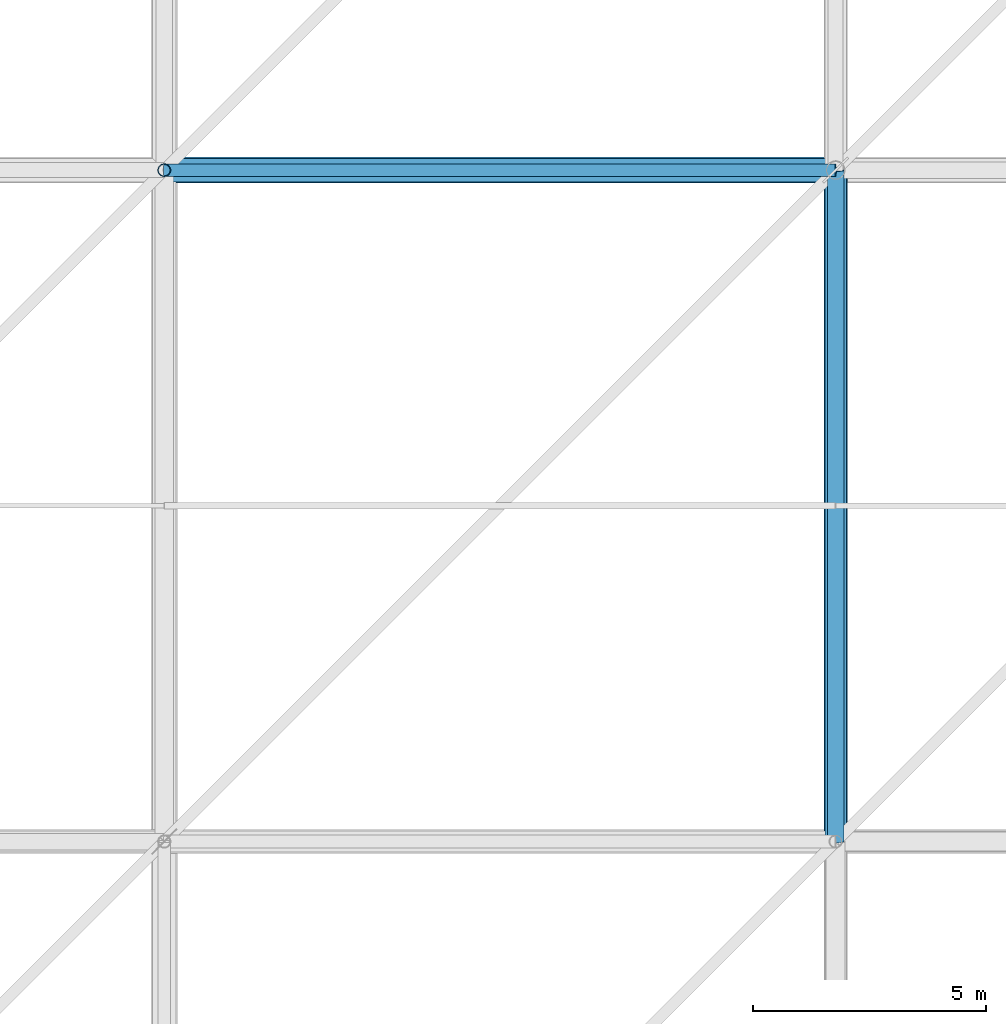
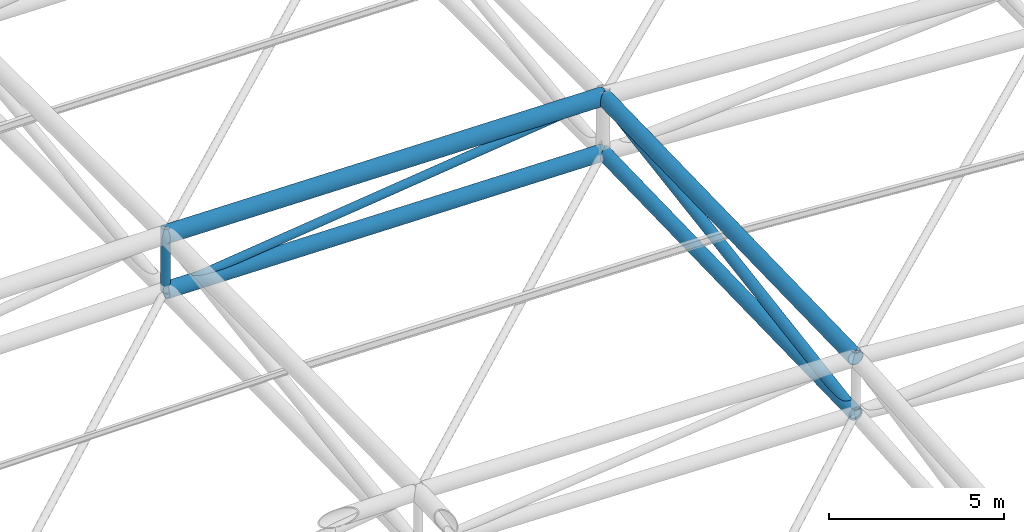
# One storey, part 135 of 397: 4 beams, 3 members.
"""IFC4 building model written with IfcOpenShell, lengths in metres."""

from ifc_helpers import new_model, si_unit, direction, frame, origin, origin_2d, place, context, subcontext, project, spatial, hollow_circle, extrude, material, material_profile, profile_set, type_object, element, save


model = new_model("IFC4")

# Units and contexts
model_context = context("Model", 3, precision=1e-05, world=origin(), true_north=direction((0.0, 1.0)))
body_context = subcontext(model_context, "Body", "Model", "MODEL_VIEW")
ifc_project = project(units=[si_unit("LENGTHUNIT", "METRE"), si_unit("AREAUNIT", "SQUARE_METRE"), si_unit("VOLUMEUNIT", "CUBIC_METRE"), si_unit("PLANEANGLEUNIT", "RADIAN"), si_unit("MASSUNIT", "GRAM", prefix="KILO")], contexts=[model_context])

# Site, building, storey
site_placement = place(None, origin())
site = spatial("IfcSite", under=ifc_project, at=site_placement, CompositionType="ELEMENT")
building_placement = place(site_placement, origin())
building = spatial("IfcBuilding", under=site, at=building_placement, Name="Qandorah Velis Arena", CompositionType="ELEMENT")
storey_placement = place(building_placement, frame((0.0, 0.0, 27.5)))
storey = spatial("IfcBuildingStorey", under=building, at=storey_placement, Name="RF", CompositionType="ELEMENT", Elevation=27.5)

# Beams
ifc_material = material(Name="Steel S355", Category="steel")
ifc_material_profile_1 = material_profile(ifc_material, hollow_circle(Radius=0.228515625, WallThickness=0.01611328125, at=origin_2d()), Name="CHS 457x16")
ifc_profile_set_1 = profile_set([ifc_material_profile_1], Name="Steel S355")
beam_type_1 = type_object("IfcBeamType", Name="STR-SFC-CHS457X16", PredefinedType="USERDEFINED", material=ifc_profile_set_1)
beam_1_placement = place(storey_placement, frame((86.39990234375, 43.199951171875, 8.038818359375), z_axis=(0.0, 0.999687466414, 0.024999389874), x_axis=(-1.0, 0.0, 0.0)))
element("IfcBeam", 1, at=beam_1_placement, inside=storey, type_object=beam_type_1, Name="Space frame roof truss bottom chord Y 5.2", ObjectType="ROOF TRUSS", PredefinedType="USERDEFINED", context=body_context, shape_type="SweptSolid", body=[
    extrude(hollow_circle(Radius=0.228515625, WallThickness=0.01611328125, at=origin_2d()), origin(), (0.0, 0.0, 1.0), 14.404541015625),
])
ifc_material_profile_2 = material_profile(ifc_material, hollow_circle(Radius=0.25390625, WallThickness=0.02001953125, at=origin_2d()), Name="CHS 508x20")
ifc_profile_set_2 = profile_set([ifc_material_profile_2], Name="Steel S355")
beam_type_2 = type_object("IfcBeamType", Name="STR-SFC-CHS508X20", PredefinedType="USERDEFINED", material=ifc_profile_set_2)
beam_2_placement = place(storey_placement, frame((86.39990234375, 43.199951171875, 9.98876953125), z_axis=(0.0, 0.999687042695, 0.02501632801), x_axis=(-1.0, 0.0, 0.0)))
element("IfcBeam", 2, at=beam_2_placement, inside=storey, type_object=beam_type_2, Name="Space frame roof truss top chord Y 5.2", ObjectType="ROOF TRUSS", PredefinedType="USERDEFINED", context=body_context, shape_type="SweptSolid", body=[
    extrude(hollow_circle(Radius=0.25390625, WallThickness=0.02001953125, at=origin_2d()), origin(), (0.0, 0.0, 1.0), 14.404541015625),
])
ifc_material_profile_3 = material_profile(ifc_material, hollow_circle(Radius=0.25390625, WallThickness=0.02490234375, at=origin_2d()), Name="CHS 508x25")
ifc_profile_set_3 = profile_set([ifc_material_profile_3], Name="Steel S355")
beam_type_3 = type_object("IfcBeamType", Name="STR-SFC-CHS508X25", PredefinedType="USERDEFINED", material=ifc_profile_set_3)
beam_3_placement = place(storey_placement, frame((72.0, 57.60009765625, 8.6318359375), z_axis=(0.99986921963, 0.0, -0.016172310799), x_axis=(0.0, 1.0, 0.0)))
element("IfcBeam", 3, at=beam_3_placement, inside=storey, type_object=beam_type_3, Name="Space frame roof truss bottom chord X 4.3", ObjectType="ROOF TRUSS", PredefinedType="USERDEFINED", context=body_context, shape_type="SweptSolid", body=[
    extrude(hollow_circle(Radius=0.25390625, WallThickness=0.02490234375, at=origin_2d()), origin(), (0.0, 0.0, 1.0), 14.40185546875),
])
ifc_material_profile_4 = material_profile(ifc_material, hollow_circle(Radius=0.279541015625, WallThickness=0.02490234375, at=origin_2d()), Name="CHS 559x25")
ifc_profile_set_4 = profile_set([ifc_material_profile_4], Name="Steel S355")
beam_type_4 = type_object("IfcBeamType", Name="STR-SFC-CHS559X25", PredefinedType="USERDEFINED", material=ifc_profile_set_4)
beam_4_placement = place(storey_placement, frame((72.0, 57.60009765625, 10.581787109375), z_axis=(0.999869493605, 0.0, -0.016155363118), x_axis=(0.0, 1.0, 0.0)))
element("IfcBeam", 4, at=beam_4_placement, inside=storey, type_object=beam_type_4, Name="Space frame roof truss top chord X 4.3", ObjectType="ROOF TRUSS", PredefinedType="USERDEFINED", context=body_context, shape_type="SweptSolid", body=[
    extrude(hollow_circle(Radius=0.279541015625, WallThickness=0.02490234375, at=origin_2d()), origin(), (0.0, 0.0, 1.0), 14.40185546875),
])

# Members
ifc_material_profile_5 = material_profile(ifc_material, hollow_circle(Radius=0.136474609375, WallThickness=0.010009765625, at=origin_2d()), Name="CHS 273x10")
ifc_profile_set_5 = profile_set([ifc_material_profile_5], Name="Steel S355")
member_type_1 = type_object("IfcMemberType", Name="STR-SFD-CHS273X10", PredefinedType="STRUT", material=ifc_profile_set_5)
member_1_placement = place(storey_placement, frame((72.0, 57.60009765625, 8.6318359375), z_axis=(0.0, 0.0, 1.0), x_axis=(1.0, 0.0, 0.0)))
element("IfcMember", 5, at=member_1_placement, inside=storey, type_object=member_type_1, Name="Space frame roof vertical post 4.3", PredefinedType="STRUT", context=body_context, shape_type="SweptSolid", body=[
    extrude(hollow_circle(Radius=0.136474609375, WallThickness=0.010009765625, at=origin_2d()), origin(), (0.0, 0.0, 1.0), 2.2099609375),
])
member_2_placement = place(storey_placement, frame((72.0, 57.60009765625, 8.6318359375), z_axis=(0.992963880404, 0.0, 0.118417617829), x_axis=(0.0, 1.0, 0.0)))
element("IfcMember", 6, at=member_2_placement, inside=storey, type_object=member_type_1, Name="Space frame roof diagonal X 4.3", PredefinedType="STRUT", context=body_context, shape_type="SweptSolid", body=[
    extrude(hollow_circle(Radius=0.136474609375, WallThickness=0.010009765625, at=origin_2d()), origin(), (0.0, 0.0, 1.0), 14.501953125),
])
ifc_material_profile_6 = material_profile(ifc_material, hollow_circle(Radius=0.177734375, WallThickness=0.01611328125, at=origin_2d()), Name="CHS 355.6x16")
ifc_profile_set_6 = profile_set([ifc_material_profile_6], Name="Steel S355")
member_type_2 = type_object("IfcMemberType", Name="STR-SFD-CHS355X16", PredefinedType="STRUT", material=ifc_profile_set_6)
member_3_placement = place(storey_placement, frame((86.39990234375, 43.199951171875, 8.038818359375), z_axis=(0.0, 0.987373373893, 0.158410291731), x_axis=(-1.0, 0.0, 0.0)))
element("IfcMember", 7, at=member_3_placement, inside=storey, type_object=member_type_2, Name="Space frame roof diagonal Y 5.2", PredefinedType="STRUT", context=body_context, shape_type="SweptSolid", body=[
    extrude(hollow_circle(Radius=0.177734375, WallThickness=0.01611328125, at=origin_2d()), origin(), (0.0, 0.0, 1.0), 14.584228515625),
])

save(model, "model.ifc")
